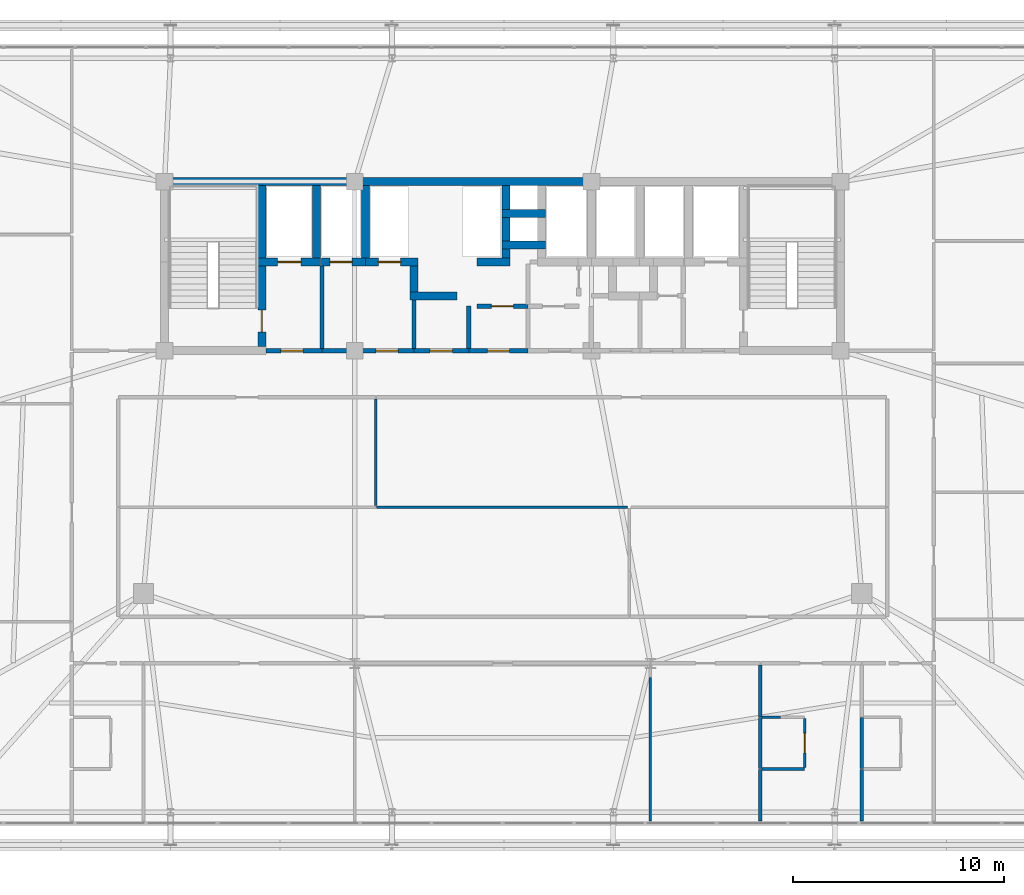
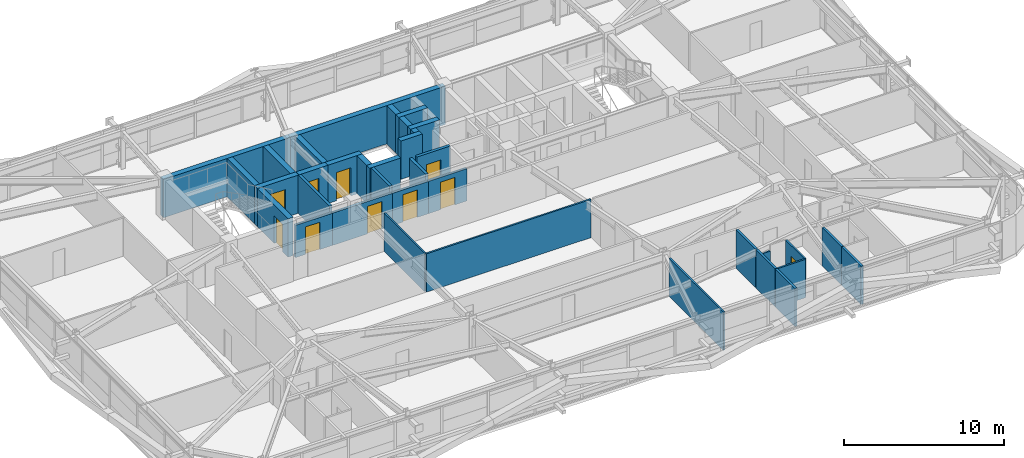
# One storey, part 53 of 59: 36 walls, 10 doors, 10 openings.
"""IFC4 building model written with IfcOpenShell, lengths in metres."""

from ifc_helpers import new_model, si_unit, direction, frame, frame_2d, origin, place, context, subcontext, project, spatial, rectangle, extrude, source, transform, mapped, material, layer, layer_set, type_object, element, fill, save


model = new_model("IFC4")

# Units and contexts
model_context = context("Model", 3, precision=1e-05, world=origin(), true_north=direction((0.0, 1.0)))
body_context = subcontext(model_context, "Body", "Model", "MODEL_VIEW")
ifc_project = project(units=[si_unit("LENGTHUNIT", "METRE"), si_unit("AREAUNIT", "SQUARE_METRE"), si_unit("VOLUMEUNIT", "CUBIC_METRE"), si_unit("PLANEANGLEUNIT", "RADIAN"), si_unit("MASSUNIT", "GRAM", prefix="KILO")], contexts=[model_context])

# Site, building, storey
site_placement = place(None, origin())
site = spatial("IfcSite", under=ifc_project, at=site_placement, CompositionType="ELEMENT")
building_placement = place(site_placement, origin())
building = spatial("IfcBuilding", under=site, at=building_placement, Name="Taldren Reach Tower", CompositionType="ELEMENT")
storey_placement = place(building_placement, frame((0.0, 0.0, 26.25)))
storey = spatial("IfcBuildingStorey", under=building, at=storey_placement, Name="L07", CompositionType="ELEMENT", Elevation=26.25)

# Walls
ifc_material_1 = material(Name="Concrete S80 (80 MPa)", Category="concrete")
ifc_layer_1 = layer(ifc_material_1, 0.3798828125)
ifc_layer_set_1 = layer_set([ifc_layer_1], Name="Concrete S80 (80 MPa)")
wall_type_1 = type_object("IfcWallType", Name="IW-CORE-380", PredefinedType="SHEAR", material=ifc_layer_set_1)
shared_shape_1 = source(origin(), body_context, "Body", "SweptSolid", [
    extrude(rectangle(XDim=9.18994140625, YDim=0.3798828125, at=frame_2d((4.594970703125, 0.0))), origin(), (0.0, 0.0, 1.0), 2.929931640625),
])
wall_1_placement = place(storey_placement, frame((18.81005859375, 32.0, 0.0), z_axis=(0.0, 0.0, 1.0), x_axis=(1.0, 0.0, 0.0)))
element("IfcWall", 1, at=wall_1_placement, inside=storey, type_object=wall_type_1, Name="Rear Core Shear Wall W-CORE-L07-NORTH1", PredefinedType="SHEAR", context=body_context, shape_type="MappedRepresentation", body=[
    mapped(shared_shape_1, transform((0.0, 0.0, 0.0), scale=1.0)),
])
shared_shape_2 = source(origin(), body_context, "Body", "SweptSolid", [
    extrude(rectangle(XDim=11.199951171875, YDim=0.3798828125, at=frame_2d((5.60009765625, 0.0))), origin(), (0.0, 0.0, 1.0), 2.929931640625),
])
wall_2_placement = place(storey_placement, frame((28.0, 32.0, 0.0), z_axis=(0.0, 0.0, 1.0), x_axis=(1.0, 0.0, 0.0)))
element("IfcWall", 2, at=wall_2_placement, inside=storey, type_object=wall_type_1, Name="Rear Core Shear Wall W-CORE-L07-NORTH2", PredefinedType="SHEAR", context=body_context, shape_type="MappedRepresentation", body=[
    mapped(shared_shape_2, transform((0.0, 0.0, 0.0), scale=1.0)),
])
shared_shape_3 = source(origin(), body_context, "Body", "SweptSolid", [
    extrude(rectangle(XDim=3.420166015625, YDim=0.3798828125, at=frame_2d((1.7099609375, 0.0))), origin(), (0.0, 0.0, 1.0), 2.929931640625),
])
for number, where, z_axis, x_axis, name in (
    (3, (23.60009765625, 28.389892578125, 0.0), (0.0, 0.0, 1.0), (0.0, 1.0, 0.0), "Rear Core Shear Wall W-INT-L07-001"),
    (4, (26.199951171875, 28.389892578125, 0.0), (0.0, 0.0, 1.0), (0.0, 1.0, 0.0), "Rear Core Shear Wall W-INT-L07-005"),
    (5, (28.5, 28.389892578125, 0.0), (0.0, 0.0, 1.0), (0.0, 1.0, 0.0), "Rear Core Shear Wall W-INT-L07-030"),
):
    element("IfcWall", number, at=place(storey_placement, frame(where, z_axis=z_axis, x_axis=x_axis)), inside=storey, type_object=wall_type_1, Name=name, PredefinedType="SHEAR", context=body_context, shape_type="MappedRepresentation", body=[
        mapped(shared_shape_3, transform((0.0, 0.0, 0.0), scale=1.0)),
    ])

# Wall, opening, door
shared_shape_4 = source(origin(), body_context, "Body", "SweptSolid", [
    extrude(rectangle(XDim=3.820068359375, YDim=0.3798828125, at=frame_2d((1.91015625, 0.0))), origin(), (0.0, 0.0, 1.0), 2.929931640625),
])
wall_3_placement = place(storey_placement, frame((23.60009765625, 24.18994140625, 0.0), z_axis=(0.0, 0.0, 1.0), x_axis=(0.0, 1.0, 0.0)))
wall_3 = element("IfcWall", 6, at=wall_3_placement, inside=storey, type_object=wall_type_1, Name="Rear Core Shear Wall W-INT-L07-002", PredefinedType="SHEAR", context=body_context, shape_type="MappedRepresentation", body=[
    mapped(shared_shape_4, transform((0.0, 0.0, 0.0), scale=1.0)),
])
shared_shape_5 = source(origin(), body_context, "Body", "SweptSolid", [
    extrude(rectangle(XDim=1.050048828125, YDim=2.10009765625, at=frame_2d((0.52490234375, 1.050048828125))), frame((0.0, 0.199951171875, 0.0), z_axis=(0.0, -1.0, 0.0), x_axis=(1.0, 0.0, 0.0)), (0.0, 0.0, 1.0), 0.39990234375),
])
opening_1_placement = place(wall_3_placement, frame((0.68505859375, 0.0, 0.0)))
opening_1 = element("IfcOpeningElement", 7, at=opening_1_placement, cuts=wall_3, Name="Opening DF-105", PredefinedType="OPENING", context=body_context, shape_type="MappedRepresentation", body=[
    mapped(shared_shape_5, transform((0.0, 0.0, 0.0), scale=1.0)),
])
ifc_material_2 = material(Name="Fire-Rated Care and Stair Exit Door")
door_type_1 = type_object("IfcDoorType", Name="ID-FIRE-105", OperationType="NOTDEFINED", PredefinedType="DOOR", material=ifc_material_2)
shared_shape_6 = source(origin(), body_context, "Body", "SweptSolid", [
    extrude(rectangle(XDim=1.050048828125, YDim=2.10009765625, at=frame_2d((0.52490234375, 1.050048828125))), frame((0.0, 0.02490234375, 0.0), z_axis=(0.0, -1.0, 0.0), x_axis=(1.0, 0.0, 0.0)), (0.0, 0.0, 1.0), 0.050048828125),
])
door_1_placement = place(opening_1_placement, origin())
door_1 = element("IfcDoor", 8, at=door_1_placement, inside=storey, type_object=door_type_1, Name="Fire Exit Stair Door DR-L07-001", OperationType="SINGLE_SWING_LEFT", OverallHeight=2.10009765625, OverallWidth=1.050048828125, PredefinedType="DOOR", context=body_context, shape_type="MappedRepresentation", body=[
    mapped(shared_shape_6, transform((0.0, 0.0, 0.0), scale=1.0)),
])
fill(opening_1, door_1)

shared_shape_7 = source(origin(), body_context, "Body", "SweptSolid", [
    extrude(rectangle(XDim=2.97998046875, YDim=0.3798828125, at=frame_2d((1.489990234375, 0.0))), origin(), (0.0, 0.0, 1.0), 2.929931640625),
])
wall_4_placement = place(storey_placement, frame((23.409912109375, 28.199951171875, 0.0), z_axis=(0.0, 0.0, 1.0), x_axis=(1.0, 0.0, 0.0)))
wall_4 = element("IfcWall", 9, at=wall_4_placement, inside=storey, type_object=wall_type_1, Name="Rear Core Shear Wall W-INT-L07-004", PredefinedType="SHEAR", context=body_context, shape_type="MappedRepresentation", body=[
    mapped(shared_shape_7, transform((0.0, 0.0, 0.0), scale=1.0)),
])
shared_shape_8 = source(origin(), body_context, "Body", "SweptSolid", [
    extrude(rectangle(XDim=1.10009765625, YDim=2.14990234375, at=frame_2d((0.550048828125, 1.074951171875))), frame((0.0, 0.199951171875, 0.0), z_axis=(0.0, -1.0, 0.0), x_axis=(1.0, 0.0, 0.0)), (0.0, 0.0, 1.0), 0.39990234375),
])
opening_2_placement = place(wall_4_placement, frame((0.93994140625, 0.0, 0.0)))
opening_2 = element("IfcOpeningElement", 10, at=opening_2_placement, cuts=wall_4, Name="Opening LD-FL1", PredefinedType="OPENING", context=body_context, shape_type="MappedRepresentation", body=[
    mapped(shared_shape_8, transform((0.0, 0.0, 0.0), scale=1.0)),
])
ifc_material_3 = material(Name="Stainless Steel Gr 316 Emergency Lift Landing Door", Category="steel")
door_type_2 = type_object("IfcDoorType", Name="LD-EMG-110", OperationType="SLIDING_TO_LEFT", PredefinedType="DOOR", material=ifc_material_3)
shared_shape_9 = source(origin(), body_context, "Body", "SweptSolid", [
    extrude(rectangle(XDim=1.10009765625, YDim=2.14990234375, at=frame_2d((0.550048828125, 1.074951171875))), frame((0.0, 0.02490234375, 0.0), z_axis=(0.0, -1.0, 0.0), x_axis=(1.0, 0.0, 0.0)), (0.0, 0.0, 1.0), 0.050048828125),
])
door_2_placement = place(opening_2_placement, origin())
door_2 = element("IfcDoor", 11, at=door_2_placement, inside=storey, type_object=door_type_2, Name="Lift Landing Door LD-FL1-L07", OperationType="SLIDING_TO_LEFT", OverallHeight=2.14990234375, OverallWidth=1.10009765625, PredefinedType="DOOR", context=body_context, shape_type="MappedRepresentation", body=[
    mapped(shared_shape_9, transform((0.0, 0.0, 0.0), scale=1.0)),
])
fill(opening_2, door_2)

# Wall
ifc_material_4 = material(Name="Concrete S50 (50 MPa)", Category="concrete")
ifc_layer_2 = layer(ifc_material_4, 0.199951171875)
ifc_layer_set_2 = layer_set([ifc_layer_2], Name="Concrete S50 (50 MPa)")
wall_type_2 = type_object("IfcWallType", Name="IW-CORE-200", PredefinedType="SOLIDWALL", material=ifc_layer_set_2)
shared_shape_10 = source(origin(), body_context, "Body", "SweptSolid", [
    extrude(rectangle(XDim=3.909912109375, YDim=0.199951171875, at=frame_2d((1.955078125, 0.0))), origin(), (0.0, 0.0, 1.0), 2.929931640625),
])
wall_5_placement = place(storey_placement, frame((26.449951171875, 24.10009765625, 0.0), z_axis=(0.0, 0.0, 1.0), x_axis=(0.0, 1.0, 0.0)))
element("IfcWall", 12, at=wall_5_placement, inside=storey, type_object=wall_type_2, Name="Rear Core Shear Wall W-INT-L07-006", PredefinedType="SOLIDWALL", context=body_context, shape_type="MappedRepresentation", body=[
    mapped(shared_shape_10, transform((0.0, 0.0, 0.0), scale=1.0)),
])

# Wall, opening, door
shared_shape_11 = source(origin(), body_context, "Body", "SweptSolid", [
    extrude(rectangle(XDim=2.659912109375, YDim=0.199951171875, at=frame_2d((1.330078125, 0.0))), origin(), (0.0, 0.0, 1.0), 2.469970703125),
])
wall_6_placement = place(storey_placement, frame((23.7900390625, 24.0, 0.0), z_axis=(0.0, 0.0, 1.0), x_axis=(1.0, 0.0, 0.0)))
wall_6 = element("IfcWall", 13, at=wall_6_placement, inside=storey, type_object=wall_type_2, Name="Rear Core Shear Wall W-INT-L07-007", PredefinedType="SOLIDWALL", context=body_context, shape_type="MappedRepresentation", body=[
    mapped(shared_shape_11, transform((0.0, 0.0, 0.0), scale=1.0)),
])
shared_shape_12 = source(origin(), body_context, "Body", "SweptSolid", [
    extrude(rectangle(XDim=1.050048828125, YDim=2.10009765625, at=frame_2d((0.52490234375, 1.050048828125))), frame((0.0, 0.10986328125, 0.0), z_axis=(0.0, -1.0, 0.0), x_axis=(1.0, 0.0, 0.0)), (0.0, 0.0, 1.0), 0.219970703125),
])
opening_3_placement = place(wall_6_placement, frame((0.7099609375, 0.0, 0.0)))
opening_3 = element("IfcOpeningElement", 14, at=opening_3_placement, cuts=wall_6, Name="Opening DF-105", PredefinedType="OPENING", context=body_context, shape_type="MappedRepresentation", body=[
    mapped(shared_shape_12, transform((0.0, 0.0, 0.0), scale=1.0)),
])
door_3_placement = place(opening_3_placement, origin())
door_3 = element("IfcDoor", 15, at=door_3_placement, inside=storey, type_object=door_type_1, Name="Interior Door DR-L07-002", OperationType="SINGLE_SWING_LEFT", OverallHeight=2.10009765625, OverallWidth=1.050048828125, PredefinedType="DOOR", context=body_context, shape_type="MappedRepresentation", body=[
    mapped(shared_shape_6, transform((0.0, 0.0, 0.0), scale=1.0)),
])
fill(opening_3, door_3)

# Walls
shared_shape_13 = source(origin(), body_context, "Body", "SweptSolid", [
    extrude(rectangle(XDim=2.080078125, YDim=0.3798828125, at=frame_2d((1.0400390625, 0.0))), origin(), (0.0, 0.0, 1.0), 2.929931640625),
])
for number, where, z_axis, x_axis, name in (
    (16, (34.9599609375, 30.5, 0.0), (0.0, 0.0, 1.0), (1.0, 0.0, 0.0), "Rear Core Shear Wall W-INT-L07-016"),
    (17, (34.9599609375, 29.0, 0.0), (0.0, 0.0, 1.0), (1.0, 0.0, 0.0), "Rear Core Shear Wall W-INT-L07-021"),
):
    element("IfcWall", number, at=place(storey_placement, frame(where, z_axis=z_axis, x_axis=x_axis)), inside=storey, type_object=wall_type_1, Name=name, PredefinedType="SHEAR", context=body_context, shape_type="MappedRepresentation", body=[
        mapped(shared_shape_13, transform((0.0, 0.0, 0.0), scale=1.0)),
    ])
shared_shape_14 = source(origin(), body_context, "Body", "SweptSolid", [
    extrude(rectangle(XDim=1.1201171875, YDim=0.3798828125, at=frame_2d((0.56005859375, 0.0))), origin(), (0.0, 0.0, 1.0), 2.929931640625),
])
for number, where, z_axis, x_axis, name in (
    (18, (35.14990234375, 31.81005859375, 0.0), (0.0, 0.0, 1.0), (0.0, -1.0, 0.0), "Rear Core Shear Wall W-INT-L07-017"),
    (19, (35.14990234375, 30.31005859375, 0.0), (0.0, 0.0, 1.0), (0.0, -1.0, 0.0), "Rear Core Shear Wall W-INT-L07-019"),
):
    element("IfcWall", number, at=place(storey_placement, frame(where, z_axis=z_axis, x_axis=x_axis)), inside=storey, type_object=wall_type_1, Name=name, PredefinedType="SHEAR", context=body_context, shape_type="MappedRepresentation", body=[
        mapped(shared_shape_14, transform((0.0, 0.0, 0.0), scale=1.0)),
    ])
shared_shape_15 = source(origin(), body_context, "Body", "SweptSolid", [
    extrude(rectangle(XDim=1.219970703125, YDim=0.3798828125, at=frame_2d((0.60986328125, 0.0))), origin(), (0.0, 0.0, 1.0), 2.929931640625),
])
wall_7_placement = place(storey_placement, frame((30.800048828125, 28.010009765625, 0.0), z_axis=(0.0, 0.0, 1.0), x_axis=(0.0, -1.0, 0.0)))
element("IfcWall", 20, at=wall_7_placement, inside=storey, type_object=wall_type_1, Name="Rear Core Shear Wall W-INT-L07-022", PredefinedType="SHEAR", context=body_context, shape_type="MappedRepresentation", body=[
    mapped(shared_shape_15, transform((0.0, 0.0, 0.0), scale=1.0)),
])

# Wall, opening, door
shared_shape_16 = source(origin(), body_context, "Body", "SweptSolid", [
    extrude(rectangle(XDim=2.070068359375, YDim=0.3798828125, at=frame_2d((1.03515625, 0.0))), origin(), (0.0, 0.0, 1.0), 2.929931640625),
])
wall_8_placement = place(storey_placement, frame((26.429931640625, 28.199951171875, 0.0), z_axis=(0.0, 0.0, 1.0), x_axis=(1.0, 0.0, 0.0)))
wall_8 = element("IfcWall", 21, at=wall_8_placement, inside=storey, type_object=wall_type_1, Name="Rear Core Shear Wall W-INT-L07-031", PredefinedType="SHEAR", context=body_context, shape_type="MappedRepresentation", body=[
    mapped(shared_shape_16, transform((0.0, 0.0, 0.0), scale=1.0)),
])
shared_shape_17 = source(origin(), body_context, "Body", "SweptSolid", [
    extrude(rectangle(XDim=1.050048828125, YDim=2.14990234375, at=frame_2d((0.52490234375, 1.074951171875))), frame((0.0, 0.199951171875, 0.0), z_axis=(0.0, -1.0, 0.0), x_axis=(1.0, 0.0, 0.0)), (0.0, 0.0, 1.0), 0.39990234375),
])
opening_4_placement = place(wall_8_placement, frame((0.39501953125, 0.0, 0.0)))
opening_4 = element("IfcOpeningElement", 22, at=opening_4_placement, cuts=wall_8, Name="Opening LD-PL1", PredefinedType="OPENING", context=body_context, shape_type="MappedRepresentation", body=[
    mapped(shared_shape_17, transform((0.0, 0.0, 0.0), scale=1.0)),
])
ifc_material_5 = material(Name="Stainless Steel Gr 316 Passenger Lift Landing Door", Category="steel")
door_type_3 = type_object("IfcDoorType", Name="LD-PAS-105", OperationType="SLIDING_TO_LEFT", PredefinedType="DOOR", material=ifc_material_5)
shared_shape_18 = source(origin(), body_context, "Body", "SweptSolid", [
    extrude(rectangle(XDim=1.050048828125, YDim=2.14990234375, at=frame_2d((0.52490234375, 1.074951171875))), frame((0.0, 0.02490234375, 0.0), z_axis=(0.0, -1.0, 0.0), x_axis=(1.0, 0.0, 0.0)), (0.0, 0.0, 1.0), 0.050048828125),
])
door_4_placement = place(opening_4_placement, origin())
door_4 = element("IfcDoor", 23, at=door_4_placement, inside=storey, type_object=door_type_3, Name="Lift Landing Door LD-PL1-L07", OperationType="SLIDING_TO_LEFT", OverallHeight=2.14990234375, OverallWidth=1.050048828125, PredefinedType="DOOR", context=body_context, shape_type="MappedRepresentation", body=[
    mapped(shared_shape_18, transform((0.0, 0.0, 0.0), scale=1.0)),
])
fill(opening_4, door_4)

shared_shape_19 = source(origin(), body_context, "Body", "SweptSolid", [
    extrude(rectangle(XDim=2.489990234375, YDim=0.3798828125, at=frame_2d((1.2451171875, 0.0))), origin(), (0.0, 0.0, 1.0), 2.929931640625),
])
wall_9_placement = place(storey_placement, frame((28.5, 28.199951171875, 0.0), z_axis=(0.0, 0.0, 1.0), x_axis=(1.0, 0.0, 0.0)))
wall_9 = element("IfcWall", 24, at=wall_9_placement, inside=storey, type_object=wall_type_1, Name="Rear Core Shear Wall W-INT-L07-032", PredefinedType="SHEAR", context=body_context, shape_type="MappedRepresentation", body=[
    mapped(shared_shape_19, transform((0.0, 0.0, 0.0), scale=1.0)),
])
opening_5_placement = place(wall_9_placement, frame((0.625, 0.0, 0.0)))
opening_5 = element("IfcOpeningElement", 25, at=opening_5_placement, cuts=wall_9, Name="Opening LD-PL2", PredefinedType="OPENING", context=body_context, shape_type="MappedRepresentation", body=[
    mapped(shared_shape_17, transform((0.0, 0.0, 0.0), scale=1.0)),
])
door_5_placement = place(opening_5_placement, origin())
door_5 = element("IfcDoor", 26, at=door_5_placement, inside=storey, type_object=door_type_3, Name="Lift Landing Door LD-PL2-L07", OperationType="SLIDING_TO_LEFT", OverallHeight=2.14990234375, OverallWidth=1.050048828125, PredefinedType="DOOR", context=body_context, shape_type="MappedRepresentation", body=[
    mapped(shared_shape_18, transform((0.0, 0.0, 0.0), scale=1.0)),
])
fill(opening_5, door_5)

# Wall
shared_shape_20 = source(origin(), body_context, "Body", "SweptSolid", [
    extrude(rectangle(XDim=2.309814453125, YDim=0.199951171875, at=frame_2d((1.15478515625, 0.0))), origin(), (0.0, 0.0, 1.0), 2.929931640625),
])
wall_10_placement = place(storey_placement, frame((30.800048828125, 26.409912109375, 0.0), z_axis=(0.0, 0.0, 1.0), x_axis=(0.0, -1.0, 0.0)))
element("IfcWall", 27, at=wall_10_placement, inside=storey, type_object=wall_type_2, Name="Rear Core Shear Wall W-INT-L07-033", PredefinedType="SOLIDWALL", context=body_context, shape_type="MappedRepresentation", body=[
    mapped(shared_shape_20, transform((0.0, 0.0, 0.0), scale=1.0)),
])

# Wall, opening, door
shared_shape_21 = source(origin(), body_context, "Body", "SweptSolid", [
    extrude(rectangle(XDim=4.35009765625, YDim=0.199951171875, at=frame_2d((2.175048828125, 0.0))), origin(), (0.0, 0.0, 1.0), 2.469970703125),
])
wall_11_placement = place(storey_placement, frame((30.800048828125, 24.0, 0.0), z_axis=(0.0, 0.0, 1.0), x_axis=(-1.0, 0.0, 0.0)))
wall_11 = element("IfcWall", 28, at=wall_11_placement, inside=storey, type_object=wall_type_2, Name="Rear Core Shear Wall W-INT-L07-034", PredefinedType="SOLIDWALL", context=body_context, shape_type="MappedRepresentation", body=[
    mapped(shared_shape_21, transform((0.0, 0.0, 0.0), scale=1.0)),
])
opening_6_placement = place(wall_11_placement, frame((0.75, 0.0, 0.0)))
opening_6 = element("IfcOpeningElement", 29, at=opening_6_placement, cuts=wall_11, Name="Opening DF-105", PredefinedType="OPENING", context=body_context, shape_type="MappedRepresentation", body=[
    mapped(shared_shape_12, transform((0.0, 0.0, 0.0), scale=1.0)),
])
door_6_placement = place(opening_6_placement, frame((1.050048828125, 0.0, 0.0), z_axis=(0.0, 0.0, 1.0), x_axis=(-1.0, 0.0, 0.0)))
door_6 = element("IfcDoor", 30, at=door_6_placement, inside=storey, type_object=door_type_1, Name="Interior Door DR-L07-005", OperationType="SINGLE_SWING_RIGHT", OverallHeight=2.10009765625, OverallWidth=1.050048828125, PredefinedType="DOOR", context=body_context, shape_type="MappedRepresentation", body=[
    mapped(shared_shape_6, transform((0.0, 0.0, 0.0), scale=1.0)),
])
fill(opening_6, door_6)

# Walls
shared_shape_22 = source(origin(), body_context, "Body", "SweptSolid", [
    extrude(rectangle(XDim=0.420166015625, YDim=0.3798828125, at=frame_2d((0.2099609375, 0.0))), origin(), (0.0, 0.0, 1.0), 2.929931640625),
])
wall_12_placement = place(storey_placement, frame((35.14990234375, 28.389892578125, 0.0), z_axis=(0.0, 0.0, 1.0), x_axis=(0.0, 1.0, 0.0)))
element("IfcWall", 31, at=wall_12_placement, inside=storey, type_object=wall_type_1, Name="Rear Core Shear Wall W-INT-L07-036", PredefinedType="SHEAR", context=body_context, shape_type="MappedRepresentation", body=[
    mapped(shared_shape_22, transform((0.0, 0.0, 0.0), scale=1.0)),
])
ifc_material_6 = material(Name="Insulated Residential Stud Partition", Category="gypsum")
ifc_layer_3 = layer(ifc_material_6, 0.1201171875)
ifc_layer_set_3 = layer_set([ifc_layer_3], Name="Insulated Residential Stud Partition")
wall_type_3 = type_object("IfcWallType", Name="IW-PART-120", PredefinedType="PARTITIONING", material=ifc_layer_set_3)
shared_shape_23 = source(origin(), body_context, "Body", "SweptSolid", [
    extrude(rectangle(XDim=5.0400390625, YDim=0.1201171875, at=frame_2d((2.52001953125, 0.0))), origin(), (0.0, 0.0, 1.0), 2.929931640625),
])
wall_13_placement = place(storey_placement, frame((29.0, 21.719970703125, 0.0), z_axis=(0.0, 0.0, 1.0), x_axis=(0.0, -1.0, 0.0)))
element("IfcWall", 32, at=wall_13_placement, inside=storey, type_object=wall_type_3, Name="Interior Partition Wall W-INT-L07-089", PredefinedType="PARTITIONING", context=body_context, shape_type="MappedRepresentation", body=[
    mapped(shared_shape_23, transform((0.0, 0.0, 0.0), scale=1.0)),
])

# Wall, opening, door
shared_shape_24 = source(origin(), body_context, "Body", "SweptSolid", [
    extrude(rectangle(XDim=2.330078125, YDim=0.1201171875, at=frame_2d((1.1650390625, 0.0))), origin(), (0.0, 0.0, 1.0), 2.929931640625),
])
wall_14_placement = place(storey_placement, frame((49.31201171875, 4.260009765625, 0.0), z_axis=(0.0, 0.0, 1.0), x_axis=(0.0, 1.0, 0.0)))
wall_14 = element("IfcWall", 33, at=wall_14_placement, inside=storey, type_object=wall_type_3, Name="Interior Partition Wall W-INT-L07-102", PredefinedType="PARTITIONING", context=body_context, shape_type="MappedRepresentation", body=[
    mapped(shared_shape_24, transform((0.0, 0.0, 0.0), scale=1.0)),
])
shared_shape_25 = source(origin(), body_context, "Body", "SweptSolid", [
    extrude(rectangle(XDim=0.919921875, YDim=2.10009765625, at=frame_2d((0.4599609375, 1.050048828125))), frame((0.0, 0.070068359375, 0.0), z_axis=(0.0, -1.0, 0.0), x_axis=(1.0, 0.0, 0.0)), (0.0, 0.0, 1.0), 0.14013671875),
])
opening_7_placement = place(wall_14_placement, frame((0.705078125, 0.0, 0.0)))
opening_7 = element("IfcOpeningElement", 34, at=opening_7_placement, cuts=wall_14, Name="Opening DI-092", PredefinedType="OPENING", context=body_context, shape_type="MappedRepresentation", body=[
    mapped(shared_shape_25, transform((0.0, 0.0, 0.0), scale=1.0)),
])
ifc_material_7 = material(Name="Solid-Core Timber Suite Door", Category="wood")
door_type_4 = type_object("IfcDoorType", Name="ID-INT-092", OperationType="NOTDEFINED", PredefinedType="DOOR", material=ifc_material_7)
shared_shape_26 = source(origin(), body_context, "Body", "SweptSolid", [
    extrude(rectangle(XDim=0.919921875, YDim=2.10009765625, at=frame_2d((0.4599609375, 1.050048828125))), frame((0.0, 0.02490234375, 0.0), z_axis=(0.0, -1.0, 0.0), x_axis=(1.0, 0.0, 0.0)), (0.0, 0.0, 1.0), 0.050048828125),
])
door_7_placement = place(opening_7_placement, origin())
door_7 = element("IfcDoor", 35, at=door_7_placement, inside=storey, type_object=door_type_4, Name="Interior Door DR-L07-032", OperationType="SINGLE_SWING_LEFT", OverallHeight=2.10009765625, OverallWidth=0.919921875, PredefinedType="DOOR", context=body_context, shape_type="MappedRepresentation", body=[
    mapped(shared_shape_26, transform((0.0, 0.0, 0.0), scale=1.0)),
])
fill(opening_7, door_7)

# Walls
ifc_material_8 = material(Name="Fire-Rated Acoustic Plasterboard Stud Wall", Category="gypsum")
ifc_layer_4 = layer(ifc_material_8, 0.159912109375)
ifc_layer_set_4 = layer_set([ifc_layer_4], Name="Fire-Rated Acoustic Plasterboard Stud Wall")
wall_type_4 = type_object("IfcWallType", Name="IW-FIRE-160", PredefinedType="PARTITIONING", material=ifc_layer_set_4)
shared_shape_27 = source(origin(), body_context, "Body", "SweptSolid", [
    extrude(rectangle(XDim=2.44775390625, YDim=0.159912109375, at=frame_2d((1.223876953125, 0.0))), origin(), (0.0, 0.0, 1.0), 2.929931640625),
])
wall_15_placement = place(storey_placement, frame((52.0, 4.1796875, 0.0), z_axis=(0.0, 0.0, 1.0), x_axis=(0.0, -1.0, 0.0)))
element("IfcWall", 36, at=wall_15_placement, inside=storey, type_object=wall_type_4, Name="Interior Partition Wall W-INT-L07-105", PredefinedType="PARTITIONING", context=body_context, shape_type="MappedRepresentation", body=[
    mapped(shared_shape_27, transform((0.0, 0.0, 0.0), scale=1.0)),
])
shared_shape_28 = source(origin(), body_context, "Body", "SweptSolid", [
    extrude(rectangle(XDim=2.40966796875, YDim=0.159912109375, at=frame_2d((1.204833984375, 0.0))), origin(), (0.0, 0.0, 1.0), 2.929931640625),
])
for number, where, z_axis, x_axis, name in (
    (37, (47.199951171875, 6.6298828125, 0.0), (0.0, 0.0, 1.0), (0.0, -1.0, 0.0), "Interior Partition Wall W-INT-L07-101"),
    (38, (52.0, 6.6298828125, 0.0), (0.0, 0.0, 1.0), (0.0, -1.0, 0.0), "Interior Partition Wall W-INT-L07-107"),
):
    element("IfcWall", number, at=place(storey_placement, frame(where, z_axis=z_axis, x_axis=x_axis)), inside=storey, type_object=wall_type_4, Name=name, PredefinedType="PARTITIONING", context=body_context, shape_type="MappedRepresentation", body=[
        mapped(shared_shape_28, transform((0.0, 0.0, 0.0), scale=1.0)),
    ])
shared_shape_29 = source(origin(), body_context, "Body", "SweptSolid", [
    extrude(rectangle(XDim=2.01171875, YDim=0.1201171875, at=frame_2d((1.005859375, 0.0))), origin(), (0.0, 0.0, 1.0), 2.929931640625),
])
wall_16_placement = place(storey_placement, frame((47.280029296875, 4.199951171875, 0.0), z_axis=(0.0, 0.0, 1.0), x_axis=(1.0, 0.0, 0.0)))
element("IfcWall", 39, at=wall_16_placement, inside=storey, type_object=wall_type_3, Name="Interior Partition Wall W-INT-L07-103", PredefinedType="PARTITIONING", context=body_context, shape_type="MappedRepresentation", body=[
    mapped(shared_shape_29, transform((0.0, 0.0, 0.0), scale=1.0)),
])
shared_shape_30 = source(origin(), body_context, "Body", "SweptSolid", [
    extrude(rectangle(XDim=2.44970703125, YDim=0.159912109375, at=frame_2d((1.224853515625, 0.0))), origin(), (0.0, 0.0, 1.0), 2.929931640625),
])
wall_17_placement = place(storey_placement, frame((47.199951171875, 4.1796875, 0.0), z_axis=(0.0, 0.0, 1.0), x_axis=(0.0, -1.0, 0.0)))
element("IfcWall", 40, at=wall_17_placement, inside=storey, type_object=wall_type_4, Name="Interior Partition Wall W-INT-L07-099", PredefinedType="PARTITIONING", context=body_context, shape_type="MappedRepresentation", body=[
    mapped(shared_shape_30, transform((0.0, 0.0, 0.0), scale=1.0)),
])
shared_shape_31 = source(origin(), body_context, "Body", "SweptSolid", [
    extrude(rectangle(XDim=2.449951171875, YDim=0.159912109375, at=frame_2d((1.22509765625, 0.0))), origin(), (0.0, 0.0, 1.0), 2.929931640625),
])
wall_18_placement = place(storey_placement, frame((47.199951171875, 9.1201171875, 0.0), z_axis=(0.0, 0.0, 1.0), x_axis=(0.0, -1.0, 0.0)))
element("IfcWall", 41, at=wall_18_placement, inside=storey, type_object=wall_type_4, Name="Interior Partition Wall W-INT-L07-100", PredefinedType="PARTITIONING", context=body_context, shape_type="MappedRepresentation", body=[
    mapped(shared_shape_31, transform((0.0, 0.0, 0.0), scale=1.0)),
])
shared_shape_32 = source(origin(), body_context, "Body", "SweptSolid", [
    extrude(rectangle(XDim=2.239990234375, YDim=0.3798828125, at=frame_2d((1.1201171875, 0.0))), origin(), (0.0, 0.0, 1.0), 2.929931640625),
])
wall_19_placement = place(storey_placement, frame((30.610107421875, 26.60009765625, 0.0), z_axis=(0.0, 0.0, 1.0), x_axis=(1.0, 0.0, 0.0)))
element("IfcWall", 42, at=wall_19_placement, inside=storey, type_object=wall_type_1, Name="Rear Core Shear Wall W-INT-L07-023", PredefinedType="SHEAR", context=body_context, shape_type="MappedRepresentation", body=[
    mapped(shared_shape_32, transform((0.0, 0.0, 0.0), scale=1.0)),
])
shared_shape_33 = source(origin(), body_context, "Body", "SweptSolid", [
    extrude(rectangle(XDim=1.56005859375, YDim=0.3798828125, at=frame_2d((0.780029296875, 0.0))), origin(), (0.0, 0.0, 1.0), 2.929931640625),
])
wall_20_placement = place(storey_placement, frame((33.780029296875, 28.199951171875, 0.0), z_axis=(0.0, 0.0, 1.0), x_axis=(1.0, 0.0, 0.0)))
element("IfcWall", 43, at=wall_20_placement, inside=storey, type_object=wall_type_1, Name="Rear Core Shear Wall W-INT-L07-035", PredefinedType="SHEAR", context=body_context, shape_type="MappedRepresentation", body=[
    mapped(shared_shape_33, transform((0.0, 0.0, 0.0), scale=1.0)),
])
shared_shape_34 = source(origin(), body_context, "Body", "SweptSolid", [
    extrude(rectangle(XDim=2.02001953125, YDim=0.199951171875, at=frame_2d((1.010009765625, 0.0))), origin(), (0.0, 0.0, 1.0), 2.929931640625),
])
wall_21_placement = place(storey_placement, frame((33.39990234375, 26.1201171875, 0.0), z_axis=(0.0, 0.0, 1.0), x_axis=(0.0, -1.0, 0.0)))
element("IfcWall", 44, at=wall_21_placement, inside=storey, type_object=wall_type_2, Name="Rear Core Shear Wall W-INT-L07-044", PredefinedType="SOLIDWALL", context=body_context, shape_type="MappedRepresentation", body=[
    mapped(shared_shape_34, transform((0.0, 0.0, 0.0), scale=1.0)),
])

# Wall, opening, door
shared_shape_35 = source(origin(), body_context, "Body", "SweptSolid", [
    extrude(rectangle(XDim=2.599853515625, YDim=0.199951171875, at=frame_2d((1.2998046875, 0.0))), origin(), (0.0, 0.0, 1.0), 2.469970703125),
])
wall_22_placement = place(storey_placement, frame((33.39990234375, 24.0, 0.0), z_axis=(0.0, 0.0, 1.0), x_axis=(-1.0, 0.0, 0.0)))
wall_22 = element("IfcWall", 45, at=wall_22_placement, inside=storey, type_object=wall_type_2, Name="Rear Core Shear Wall W-INT-L07-045", PredefinedType="SOLIDWALL", context=body_context, shape_type="MappedRepresentation", body=[
    mapped(shared_shape_35, transform((0.0, 0.0, 0.0), scale=1.0)),
])
opening_8_placement = place(wall_22_placement, frame((0.77490234375, 0.0, 0.0)))
opening_8 = element("IfcOpeningElement", 46, at=opening_8_placement, cuts=wall_22, Name="Opening DF-105", PredefinedType="OPENING", context=body_context, shape_type="MappedRepresentation", body=[
    mapped(shared_shape_12, transform((0.0, 0.0, 0.0), scale=1.0)),
])
door_8_placement = place(opening_8_placement, frame((1.050048828125, 0.0, 0.0), z_axis=(0.0, 0.0, 1.0), x_axis=(-1.0, 0.0, 0.0)))
door_8 = element("IfcDoor", 47, at=door_8_placement, inside=storey, type_object=door_type_1, Name="Interior Door DR-L07-006", OperationType="SINGLE_SWING_RIGHT", OverallHeight=2.10009765625, OverallWidth=1.050048828125, PredefinedType="DOOR", context=body_context, shape_type="MappedRepresentation", body=[
    mapped(shared_shape_6, transform((0.0, 0.0, 0.0), scale=1.0)),
])
fill(opening_8, door_8)

shared_shape_36 = source(origin(), body_context, "Body", "SweptSolid", [
    extrude(rectangle(XDim=2.419921875, YDim=0.199951171875, at=frame_2d((1.2099609375, 0.0))), origin(), (0.0, 0.0, 1.0), 2.929931640625),
])
wall_23_placement = place(storey_placement, frame((33.780029296875, 26.10009765625, 0.0), z_axis=(0.0, 0.0, 1.0), x_axis=(1.0, 0.0, 0.0)))
wall_23 = element("IfcWall", 48, at=wall_23_placement, inside=storey, type_object=wall_type_2, Name="Rear Core Shear Wall W-INT-L07-046", PredefinedType="SOLIDWALL", context=body_context, shape_type="MappedRepresentation", body=[
    mapped(shared_shape_36, transform((0.0, 0.0, 0.0), scale=1.0)),
])
opening_9_placement = place(wall_23_placement, frame((0.68505859375, 0.0, 0.0)))
opening_9 = element("IfcOpeningElement", 49, at=opening_9_placement, cuts=wall_23, Name="Opening DF-105", PredefinedType="OPENING", context=body_context, shape_type="MappedRepresentation", body=[
    mapped(shared_shape_12, transform((0.0, 0.0, 0.0), scale=1.0)),
])
door_9_placement = place(opening_9_placement, origin())
door_9 = element("IfcDoor", 50, at=door_9_placement, inside=storey, type_object=door_type_1, Name="Interior Door DR-L07-007", OperationType="SINGLE_SWING_RIGHT", OverallHeight=2.10009765625, OverallWidth=1.050048828125, PredefinedType="DOOR", context=body_context, shape_type="MappedRepresentation", body=[
    mapped(shared_shape_6, transform((0.0, 0.0, 0.0), scale=1.0)),
])
fill(opening_9, door_9)

shared_shape_37 = source(origin(), body_context, "Body", "SweptSolid", [
    extrude(rectangle(XDim=2.800048828125, YDim=0.199951171875, at=frame_2d((1.39990234375, 0.0))), origin(), (0.0, 0.0, 1.0), 2.469970703125),
])
wall_24_placement = place(storey_placement, frame((36.199951171875, 24.0, 0.0), z_axis=(0.0, 0.0, 1.0), x_axis=(-1.0, 0.0, 0.0)))
wall_24 = element("IfcWall", 51, at=wall_24_placement, inside=storey, type_object=wall_type_2, Name="Rear Core Shear Wall W-INT-L07-048", PredefinedType="SOLIDWALL", context=body_context, shape_type="MappedRepresentation", body=[
    mapped(shared_shape_37, transform((0.0, 0.0, 0.0), scale=1.0)),
])
opening_10_placement = place(wall_24_placement, frame((0.875, 0.0, 0.0)))
opening_10 = element("IfcOpeningElement", 52, at=opening_10_placement, cuts=wall_24, Name="Opening DF-105", PredefinedType="OPENING", context=body_context, shape_type="MappedRepresentation", body=[
    mapped(shared_shape_12, transform((0.0, 0.0, 0.0), scale=1.0)),
])
door_10_placement = place(opening_10_placement, frame((1.050048828125, 0.0, 0.0), z_axis=(0.0, 0.0, 1.0), x_axis=(-1.0, 0.0, 0.0)))
door_10 = element("IfcDoor", 53, at=door_10_placement, inside=storey, type_object=door_type_1, Name="Interior Door DR-L07-008", OperationType="SINGLE_SWING_RIGHT", OverallHeight=2.10009765625, OverallWidth=1.050048828125, PredefinedType="DOOR", context=body_context, shape_type="MappedRepresentation", body=[
    mapped(shared_shape_6, transform((0.0, 0.0, 0.0), scale=1.0)),
])
fill(opening_10, door_10)

# Walls
shared_shape_38 = source(origin(), body_context, "Body", "SweptSolid", [
    extrude(rectangle(XDim=11.899658203125, YDim=0.1201171875, at=frame_2d((5.94970703125, 0.0))), origin(), (0.0, 0.0, 1.0), 2.929931640625),
])
wall_25_placement = place(storey_placement, frame((29.020263671875, 16.60009765625, 0.0), z_axis=(0.0, 0.0, 1.0), x_axis=(1.0, 0.0, 0.0)))
element("IfcWall", 54, at=wall_25_placement, inside=storey, type_object=wall_type_3, Name="Interior Partition Wall W-INT-L07-087", PredefinedType="PARTITIONING", context=body_context, shape_type="MappedRepresentation", body=[
    mapped(shared_shape_38, transform((0.0, 0.0, 0.0), scale=1.0)),
])
shared_shape_39 = source(origin(), body_context, "Body", "SweptSolid", [
    extrude(rectangle(XDim=6.79833984375, YDim=0.1201171875, at=frame_2d((3.399169921875, 0.0))), origin(), (0.0, 0.0, 1.0), 2.929931640625),
])
wall_26_placement = place(storey_placement, frame((42.0, 8.5283203125, 0.0), z_axis=(0.0, 0.0, 1.0), x_axis=(0.0, -1.0, 0.0)))
element("IfcWall", 55, at=wall_26_placement, inside=storey, type_object=wall_type_3, Name="Interior Partition Wall W-INT-L07-098 part 2", PredefinedType="PARTITIONING", context=body_context, shape_type="MappedRepresentation", body=[
    mapped(shared_shape_39, transform((0.0, 0.0, 0.0), scale=1.0)),
])
shared_shape_40 = source(origin(), body_context, "Body", "SweptSolid", [
    extrude(rectangle(XDim=0.863525390625, YDim=0.1201171875, at=frame_2d((0.431640625, 0.0))), origin(), (0.0, 0.0, 1.0), 2.469970703125),
])
wall_27_placement = place(storey_placement, frame((48.1435546875, 6.64990234375, 0.0), z_axis=(0.0, 0.0, 1.0), x_axis=(-1.0, 0.0, 0.0)))
element("IfcWall", 56, at=wall_27_placement, inside=storey, type_object=wall_type_3, Name="Interior Partition Wall W-INT-L07-104 part 2", PredefinedType="PARTITIONING", context=body_context, shape_type="MappedRepresentation", body=[
    mapped(shared_shape_40, transform((0.0, 0.0, 0.0), scale=1.0)),
])

save(model, "model.ifc")
